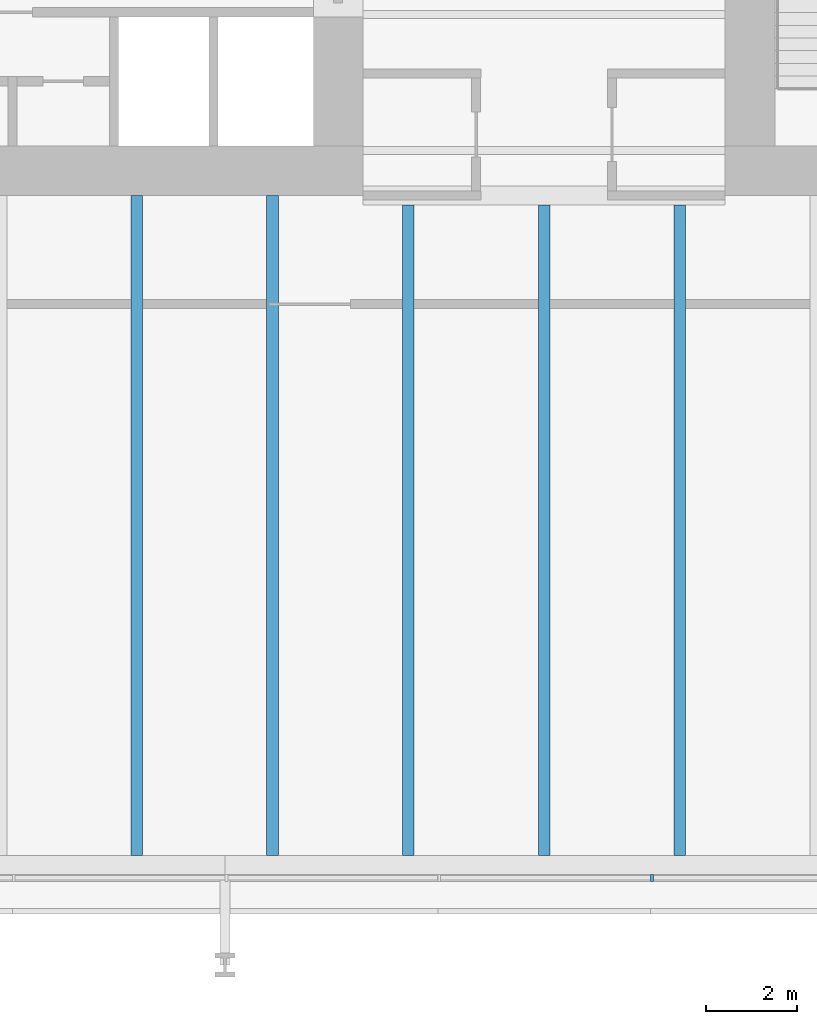
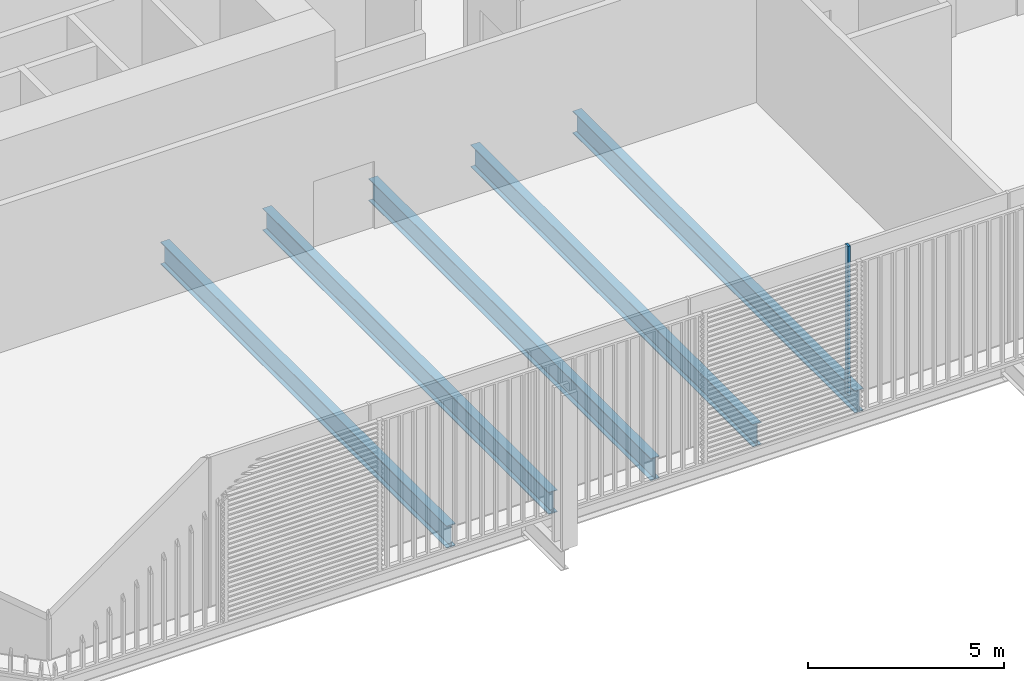
# One storey, part 4 of 22: 5 beams, 1 member, 1 element without a shape of its own.
"""IFC4 building model written with IfcOpenShell, lengths in metres."""

from ifc_helpers import new_model, si_unit, direction, frame, origin, origin_2d, place, context, subcontext, project, spatial, rectangle, i_section, extrude, material, layer, layer_set, material_profile, profile_set, type_object, element, aggregate, save


model = new_model("IFC4")

# Units and contexts
model_context = context("Model", 3, precision=1e-05, world=origin(), true_north=direction((0.0, 1.0)))
body_context = subcontext(model_context, "Body", "Model", "MODEL_VIEW")
ifc_project = project(units=[si_unit("LENGTHUNIT", "METRE"), si_unit("AREAUNIT", "SQUARE_METRE"), si_unit("VOLUMEUNIT", "CUBIC_METRE"), si_unit("PLANEANGLEUNIT", "RADIAN"), si_unit("MASSUNIT", "GRAM", prefix="KILO")], contexts=[model_context])

# Site, building, storey
site_placement = place(None, origin())
site = spatial("IfcSite", under=ifc_project, at=site_placement, CompositionType="ELEMENT")
building_placement = place(site_placement, origin())
building = spatial("IfcBuilding", under=site, at=building_placement, Name="Millrace Tower", CompositionType="ELEMENT")
storey_placement = place(building_placement, frame((0.0, 0.0, 49.699951171875)))
storey = spatial("IfcBuildingStorey", under=building, at=storey_placement, Name="L11", CompositionType="ELEMENT", Elevation=49.699951171875)

# Curtain wall, member
ifc_material_1 = material(Name="Aluminium and glass", Category="aluminium")
ifc_layer = layer(ifc_material_1, 0.14990234375)
ifc_layer_set = layer_set([ifc_layer], Name="Aluminium and glass")
curtain_wall_type = type_object("IfcCurtainWallType", Name="CW-2 data hall insulated curtain wall", PredefinedType="NOTDEFINED", material=ifc_layer_set)
curtain_wall_placement = place(storey_placement, origin())
curtain_wall = element("IfcCurtainWall", 1, at=curtain_wall_placement, inside=storey, type_object=curtain_wall_type, Name="Curtain wall A-F02 L11", PredefinedType="NOTDEFINED")
ifc_material_2 = material(Name="Aluminium", Category="aluminium")
ifc_material_profile_1 = material_profile(ifc_material_2, rectangle(XDim=0.06494140625, YDim=0.14990234375, at=origin_2d()))
ifc_profile_set_1 = profile_set([ifc_material_profile_1], Name="Aluminium")
member_type = type_object("IfcMemberType", Name="CW-2 data hall insulated curtain wall mullion", PredefinedType="MULLION", material=ifc_profile_set_1)
member_placement = place(storey_placement, frame((2.382568359375, -25.074951171875, 0.16015625), z_axis=(0.0, 0.0, 1.0), x_axis=(1.0, 0.0, 0.0)))
member = element("IfcMember", 2, at=member_placement, type_object=member_type, Name="CW2 mullion A-F02.6", PredefinedType="MULLION", context=body_context, shape_type="SweptSolid", body=[
    extrude(rectangle(XDim=0.06494140625, YDim=0.14990234375, at=origin_2d()), origin(), (0.0, 0.0, 1.0), 4.639892578125),
])
aggregate(curtain_wall, [member])

# Beams
ifc_material_3 = material(Name="Steel ASTM A992 Grade 50", Category="steel")
ifc_material_profile_2 = material_profile(ifc_material_3, i_section(OverallWidth=0.256591796875, OverallDepth=0.693359375, WebThickness=0.014404296875, FlangeThickness=0.023681640625, FilletRadius=0.01513671875, at=origin_2d()))
ifc_profile_set_2 = profile_set([ifc_material_profile_2], Name="Steel ASTM A992 Grade 50")
beam_type = type_object("IfcBeamType", Name="Floor beam W27x114", PredefinedType="JOIST", material=ifc_profile_set_2)
for number, where, z_axis, x_axis, name in (
    (3, (-9.0, -24.578369140625, -0.57177734375), (0.0, 1.0, 0.0), (-1.0, 0.0, 0.0), "BM-A-L11-S1-S045"),
    (4, (-6.0, -24.578369140625, -0.57177734375), (0.0, 1.0, 0.0), (-1.0, 0.0, 0.0), "BM-A-L11-S1-S047"),
):
    element("IfcBeam", number, at=place(storey_placement, frame(where, z_axis=z_axis, x_axis=x_axis)), inside=storey, type_object=beam_type, Name=name, PredefinedType="JOIST", context=body_context, shape_type="SweptSolid", body=[
        extrude(i_section(OverallWidth=0.256591796875, OverallDepth=0.693359375, WebThickness=0.014404296875, FlangeThickness=0.023681640625, FilletRadius=0.01513671875, at=origin_2d()), origin(), (0.0, 0.0, 1.0), 14.578369140625),
    ])
for number, where, z_axis, x_axis, name in (
    (5, (-3.0, -24.578369140625, -0.57177734375), (0.0, 1.0, 0.0), (-1.0, 0.0, 0.0), "BM-A-L11-S1-S049"),
    (6, (0.0, -24.578369140625, -0.57177734375), (0.0, 1.0, 0.0), (-1.0, 0.0, 0.0), "BM-A-L11-S1-S051"),
    (7, (3.0, -24.578369140625, -0.57177734375), (0.0, 1.0, 0.0), (-1.0, 0.0, 0.0), "BM-A-L11-S1-S053"),
):
    element("IfcBeam", number, at=place(storey_placement, frame(where, z_axis=z_axis, x_axis=x_axis)), inside=storey, type_object=beam_type, Name=name, PredefinedType="JOIST", context=body_context, shape_type="SweptSolid", body=[
        extrude(i_section(OverallWidth=0.256591796875, OverallDepth=0.693359375, WebThickness=0.014404296875, FlangeThickness=0.023681640625, FilletRadius=0.01513671875, at=origin_2d()), origin(), (0.0, 0.0, 1.0), 14.3662109375),
    ])

save(model, "model.ifc")
